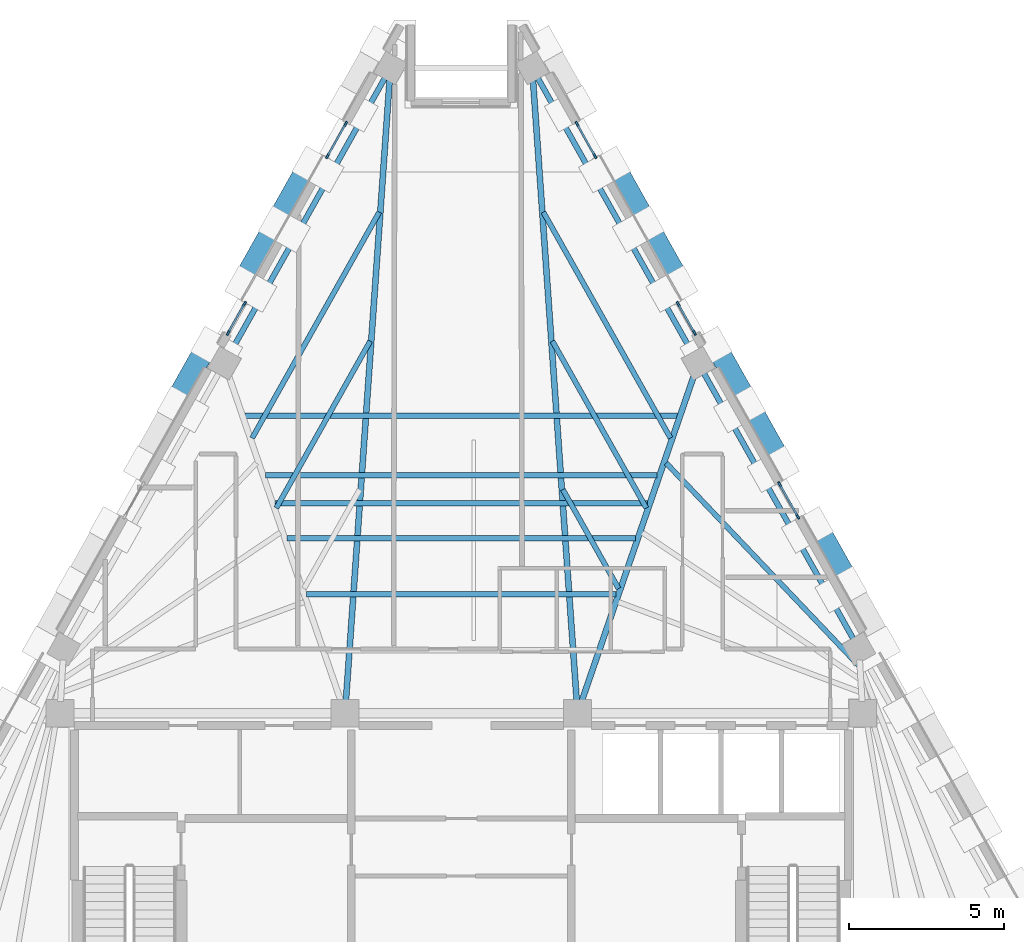
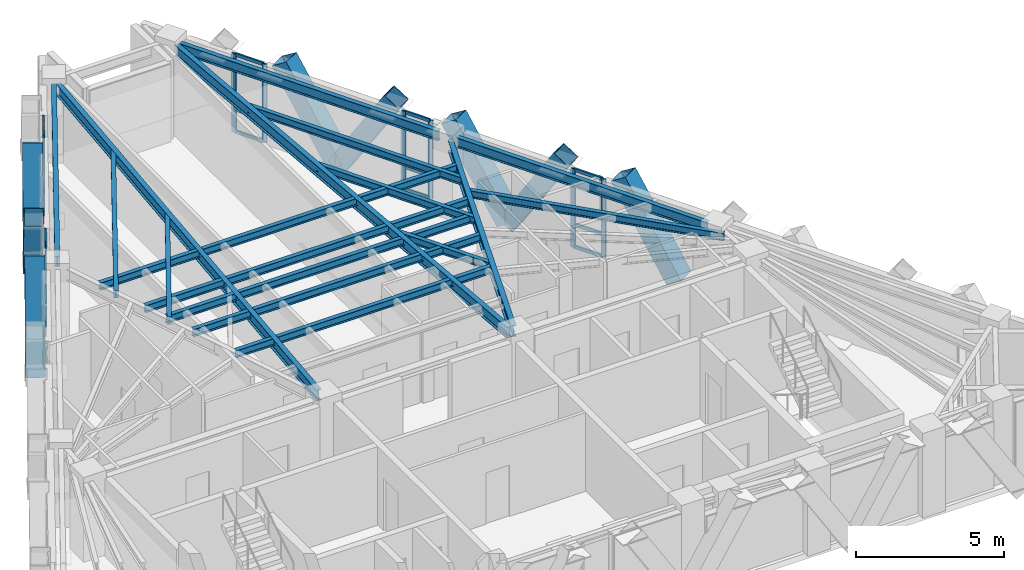
# One storey, part 3 of 9: 33 members, 17 beams, 5 elements without a shape of their own.
"""IFC4 building model written with IfcOpenShell, lengths in metres."""

from ifc_helpers import new_model, si_unit, direction, frame, origin, origin_2d, place, context, subcontext, project, spatial, rectangle, hollow_rectangle, i_section, extrude, material, material_profile, profile_set, type_object, element, aggregate, save


model = new_model("IFC4")

# Units and contexts
model_context = context("Model", 3, precision=1e-05, world=origin(), true_north=direction((0.0, 1.0)))
body_context = subcontext(model_context, "Body", "Model", "MODEL_VIEW")
ifc_project = project(units=[si_unit("LENGTHUNIT", "METRE"), si_unit("AREAUNIT", "SQUARE_METRE"), si_unit("VOLUMEUNIT", "CUBIC_METRE"), si_unit("PLANEANGLEUNIT", "RADIAN"), si_unit("MASSUNIT", "GRAM", prefix="KILO")], contexts=[model_context])

# Site, building, storey
site_placement = place(None, origin())
site = spatial("IfcSite", under=ifc_project, at=site_placement, CompositionType="ELEMENT")
building_placement = place(site_placement, origin())
building = spatial("IfcBuilding", under=site, at=building_placement, Name="Quenlor Broadcast Tower", CompositionType="ELEMENT")
storey_placement = place(building_placement, frame((0.0, 0.0, 260.39990234375)))
storey = spatial("IfcBuildingStorey", under=building, at=storey_placement, Name="L72", CompositionType="ELEMENT", Elevation=260.39990234375)

# Curtain wall, members
ifc_material_1 = material(Name="Architectural Terracotta and Low-E Glazing", Category="masonry")
curtain_wall_type = type_object("IfcCurtainWallType", Name="Unitised Terracotta Curtain Wall System Z5", PredefinedType="NOTDEFINED", material=ifc_material_1)
curtain_wall_1_placement = place(storey_placement, origin())
curtain_wall_1 = element("IfcCurtainWall", 1, at=curtain_wall_1_placement, inside=storey, type_object=curtain_wall_type, Name="L72 Curtain Wall CW5 (L72-NEA-G1)", PredefinedType="NOTDEFINED")
ifc_material_2 = material(Name="Aluminium 6063-T6", Category="aluminium")
ifc_material_profile_1 = material_profile(ifc_material_2, rectangle(XDim=0.06494140625, YDim=0.169921875, at=origin_2d()))
ifc_profile_set_1 = profile_set([ifc_material_profile_1], Name="Aluminium 6063-T6 MULL65x170")
member_type_1 = type_object("IfcMemberType", Name="CW5 Aluminium Mullion MULL_CW5", PredefinedType="MULLION", material=ifc_profile_set_1)
member_1_placement = place(storey_placement, frame((3.72802734375, 14.211669921875, 0.0), z_axis=(0.0, 0.0, 1.0), x_axis=(0.871558583916, 0.49029137745, 0.0)))
member_1 = element("IfcMember", 2, at=member_1_placement, type_object=member_type_1, Name="CW5 mullion 1", PredefinedType="MULLION", context=body_context, shape_type="SweptSolid", body=[
    extrude(rectangle(XDim=0.06494140625, YDim=0.169921875, at=origin_2d()), origin(), (0.0, 0.0, 1.0), 3.25),
])
member_2_placement = place(storey_placement, frame((4.31396484375, 13.169921875, 0.0), z_axis=(0.0, 0.0, 1.0), x_axis=(0.871558583916, 0.49029137745, 0.0)))
member_2 = element("IfcMember", 3, at=member_2_placement, type_object=member_type_1, Name="CW5 mullion 2", PredefinedType="MULLION", context=body_context, shape_type="SweptSolid", body=[
    extrude(rectangle(XDim=0.06494140625, YDim=0.169921875, at=origin_2d()), origin(), (0.0, 0.0, 1.0), 3.25),
])

curtain_wall_2_placement = place(storey_placement, origin())
curtain_wall_2 = element("IfcCurtainWall", 4, at=curtain_wall_2_placement, inside=storey, type_object=curtain_wall_type, Name="L72 Curtain Wall CW5 (L72-NEA-G2)", PredefinedType="NOTDEFINED")
member_3_placement = place(storey_placement, frame((6.99755859375, 8.39892578125, 0.0), z_axis=(0.0, 0.0, 1.0), x_axis=(0.871563693894, 0.490282293669, 0.0)))
member_3 = element("IfcMember", 5, at=member_3_placement, type_object=member_type_1, Name="CW5 mullion 1", PredefinedType="MULLION", context=body_context, shape_type="SweptSolid", body=[
    extrude(rectangle(XDim=0.06494140625, YDim=0.169921875, at=origin_2d()), origin(), (0.0, 0.0, 1.0), 3.25),
])
member_4_placement = place(storey_placement, frame((7.5185546875, 7.472900390625, 0.0), z_axis=(0.0, 0.0, 1.0), x_axis=(0.871563693894, 0.490282293669, 0.0)))
member_4 = element("IfcMember", 6, at=member_4_placement, type_object=member_type_1, Name="CW5 mullion 2", PredefinedType="MULLION", context=body_context, shape_type="SweptSolid", body=[
    extrude(rectangle(XDim=0.06494140625, YDim=0.169921875, at=origin_2d()), origin(), (0.0, 0.0, 1.0), 3.25),
])

curtain_wall_3_placement = place(storey_placement, origin())
curtain_wall_3 = element("IfcCurtainWall", 7, at=curtain_wall_3_placement, inside=storey, type_object=curtain_wall_type, Name="L72 Curtain Wall CW5 (L72-NE-G1)", PredefinedType="NOTDEFINED")
member_5_placement = place(storey_placement, frame((10.267333984375, 2.586181640625, 0.0), z_axis=(0.0, 0.0, 1.0), x_axis=(0.871592489955, 0.490231100048, 0.0)))
member_5 = element("IfcMember", 8, at=member_5_placement, type_object=member_type_1, Name="CW5 mullion 1", PredefinedType="MULLION", context=body_context, shape_type="SweptSolid", body=[
    extrude(rectangle(XDim=0.06494140625, YDim=0.169921875, at=origin_2d()), origin(), (0.0, 0.0, 1.0), 3.25),
])
member_6_placement = place(storey_placement, frame((10.853271484375, 1.54443359375, 0.0), z_axis=(0.0, 0.0, 1.0), x_axis=(0.871592489955, 0.490231100048, 0.0)))
member_6 = element("IfcMember", 9, at=member_6_placement, type_object=member_type_1, Name="CW5 mullion 2", PredefinedType="MULLION", context=body_context, shape_type="SweptSolid", body=[
    extrude(rectangle(XDim=0.06494140625, YDim=0.169921875, at=origin_2d()), origin(), (0.0, 0.0, 1.0), 3.25),
])

curtain_wall_4_placement = place(storey_placement, origin())
curtain_wall_4 = element("IfcCurtainWall", 10, at=curtain_wall_4_placement, inside=storey, type_object=curtain_wall_type, Name="L72 Curtain Wall CW5 (L72-NWC-G1)", PredefinedType="NOTDEFINED")
member_7_placement = place(storey_placement, frame((-7.5185546875, 7.472900390625, 0.0), z_axis=(0.0, 0.0, 1.0), x_axis=(-0.871563693894, 0.490282293669, 0.0)))
member_7 = element("IfcMember", 11, at=member_7_placement, type_object=member_type_1, Name="CW5 mullion 1", PredefinedType="MULLION", context=body_context, shape_type="SweptSolid", body=[
    extrude(rectangle(XDim=0.06494140625, YDim=0.169921875, at=origin_2d()), origin(), (0.0, 0.0, 1.0), 3.25),
])
member_8_placement = place(storey_placement, frame((-6.99755859375, 8.39892578125, 0.0), z_axis=(0.0, 0.0, 1.0), x_axis=(-0.871563693894, 0.490282293669, 0.0)))
member_8 = element("IfcMember", 12, at=member_8_placement, type_object=member_type_1, Name="CW5 mullion 2", PredefinedType="MULLION", context=body_context, shape_type="SweptSolid", body=[
    extrude(rectangle(XDim=0.06494140625, YDim=0.169921875, at=origin_2d()), origin(), (0.0, 0.0, 1.0), 3.25),
])

curtain_wall_5_placement = place(storey_placement, origin())
curtain_wall_5 = element("IfcCurtainWall", 13, at=curtain_wall_5_placement, inside=storey, type_object=curtain_wall_type, Name="L72 Curtain Wall CW5 (L72-NWC-G2)", PredefinedType="NOTDEFINED")
member_9_placement = place(storey_placement, frame((-4.31396484375, 13.169921875, 0.0), z_axis=(0.0, 0.0, 1.0), x_axis=(-0.871558583916, 0.49029137745, 0.0)))
member_9 = element("IfcMember", 14, at=member_9_placement, type_object=member_type_1, Name="CW5 mullion 1", PredefinedType="MULLION", context=body_context, shape_type="SweptSolid", body=[
    extrude(rectangle(XDim=0.06494140625, YDim=0.169921875, at=origin_2d()), origin(), (0.0, 0.0, 1.0), 3.25),
])
member_10_placement = place(storey_placement, frame((-3.72802734375, 14.211669921875, 0.0), z_axis=(0.0, 0.0, 1.0), x_axis=(-0.871558583916, 0.49029137745, 0.0)))
member_10 = element("IfcMember", 15, at=member_10_placement, type_object=member_type_1, Name="CW5 mullion 2", PredefinedType="MULLION", context=body_context, shape_type="SweptSolid", body=[
    extrude(rectangle(XDim=0.06494140625, YDim=0.169921875, at=origin_2d()), origin(), (0.0, 0.0, 1.0), 3.25),
])

# Member
ifc_material_3 = material(Name="Aluminium 6063-T6", Category="aluminium")
ifc_material_profile_2 = material_profile(ifc_material_3, rectangle(XDim=0.06494140625, YDim=0.139892578125, at=origin_2d()))
ifc_profile_set_2 = profile_set([ifc_material_profile_2], Name="Aluminium 6063-T6 TRAN65x140")
member_type_2 = type_object("IfcMemberType", Name="CW5 Aluminium Transom TRAN_CW5", PredefinedType="USERDEFINED", material=ifc_profile_set_2)
member_11_placement = place(storey_placement, frame((3.743896484375, 14.183349609375, 0.03271484375), z_axis=(0.490312513966, -0.871546693327, 0.0), x_axis=(0.871546693327, 0.490312513966, 0.0)))
member_11 = element("IfcMember", 16, at=member_11_placement, type_object=member_type_2, Name="CW5 transom 1.1", ObjectType="TRANSOM", PredefinedType="USERDEFINED", context=body_context, shape_type="SweptSolid", body=[
    extrude(rectangle(XDim=0.06494140625, YDim=0.139892578125, at=origin_2d()), origin(), (0.0, 0.0, 1.0), 1.13037109375),
])

member_12_placement = place(storey_placement, frame((3.743896484375, 14.183349609375, 0.9501953125), z_axis=(0.490312513966, -0.871546693327, 0.0), x_axis=(0.871546693327, 0.490312513966, 0.0)))
member_12 = element("IfcMember", 17, at=member_12_placement, type_object=member_type_2, Name="CW5 transom 1.2", ObjectType="TRANSOM", PredefinedType="USERDEFINED", context=body_context, shape_type="SweptSolid", body=[
    extrude(rectangle(XDim=0.06494140625, YDim=0.139892578125, at=origin_2d()), origin(), (0.0, 0.0, 1.0), 1.13037109375),
])

member_13_placement = place(storey_placement, frame((3.743896484375, 14.183349609375, 3.217529296875), z_axis=(0.490312513966, -0.871546693327, 0.0), x_axis=(0.871546693327, 0.490312513966, 0.0)))
member_13 = element("IfcMember", 18, at=member_13_placement, type_object=member_type_2, Name="CW5 transom 1.3", ObjectType="TRANSOM", PredefinedType="USERDEFINED", context=body_context, shape_type="SweptSolid", body=[
    extrude(rectangle(XDim=0.06494140625, YDim=0.139892578125, at=origin_2d()), origin(), (0.0, 0.0, 1.0), 1.13037109375),
])

aggregate(curtain_wall_1, [member_1, member_2, member_11, member_12, member_13])

member_14_placement = place(storey_placement, frame((7.013427734375, 8.37060546875, 0.03271484375), z_axis=(0.490249619047, -0.871582073602, 0.0), x_axis=(0.871582073602, 0.490249619047, 0.0)))
member_14 = element("IfcMember", 19, at=member_14_placement, type_object=member_type_2, Name="CW5 transom 1.1", ObjectType="TRANSOM", PredefinedType="USERDEFINED", context=body_context, shape_type="SweptSolid", body=[
    extrude(rectangle(XDim=0.06494140625, YDim=0.139892578125, at=origin_2d()), origin(), (0.0, 0.0, 1.0), 0.99755859375),
])

member_15_placement = place(storey_placement, frame((7.013427734375, 8.37060546875, 0.9501953125), z_axis=(0.490249619047, -0.871582073602, 0.0), x_axis=(0.871582073602, 0.490249619047, 0.0)))
member_15 = element("IfcMember", 20, at=member_15_placement, type_object=member_type_2, Name="CW5 transom 1.2", ObjectType="TRANSOM", PredefinedType="USERDEFINED", context=body_context, shape_type="SweptSolid", body=[
    extrude(rectangle(XDim=0.06494140625, YDim=0.139892578125, at=origin_2d()), origin(), (0.0, 0.0, 1.0), 0.99755859375),
])

member_16_placement = place(storey_placement, frame((7.013427734375, 8.37060546875, 3.217529296875), z_axis=(0.490249619047, -0.871582073602, 0.0), x_axis=(0.871582073602, 0.490249619047, 0.0)))
member_16 = element("IfcMember", 21, at=member_16_placement, type_object=member_type_2, Name="CW5 transom 1.3", ObjectType="TRANSOM", PredefinedType="USERDEFINED", context=body_context, shape_type="SweptSolid", body=[
    extrude(rectangle(XDim=0.06494140625, YDim=0.139892578125, at=origin_2d()), origin(), (0.0, 0.0, 1.0), 0.99755859375),
])

aggregate(curtain_wall_2, [member_3, member_4, member_14, member_15, member_16])

member_17_placement = place(storey_placement, frame((10.283203125, 2.557861328125, 0.03271484375), z_axis=(0.490312513966, -0.871546693327, 0.0), x_axis=(0.871546693327, 0.490312513966, 0.0)))
member_17 = element("IfcMember", 22, at=member_17_placement, type_object=member_type_2, Name="CW5 transom 1.1", ObjectType="TRANSOM", PredefinedType="USERDEFINED", context=body_context, shape_type="SweptSolid", body=[
    extrude(rectangle(XDim=0.06494140625, YDim=0.139892578125, at=origin_2d()), origin(), (0.0, 0.0, 1.0), 1.13037109375),
])

member_18_placement = place(storey_placement, frame((10.283203125, 2.557861328125, 0.9501953125), z_axis=(0.490312513966, -0.871546693327, 0.0), x_axis=(0.871546693327, 0.490312513966, 0.0)))
member_18 = element("IfcMember", 23, at=member_18_placement, type_object=member_type_2, Name="CW5 transom 1.2", ObjectType="TRANSOM", PredefinedType="USERDEFINED", context=body_context, shape_type="SweptSolid", body=[
    extrude(rectangle(XDim=0.06494140625, YDim=0.139892578125, at=origin_2d()), origin(), (0.0, 0.0, 1.0), 1.13037109375),
])

member_19_placement = place(storey_placement, frame((10.283203125, 2.557861328125, 3.217529296875), z_axis=(0.490312513966, -0.871546693327, 0.0), x_axis=(0.871546693327, 0.490312513966, 0.0)))
member_19 = element("IfcMember", 24, at=member_19_placement, type_object=member_type_2, Name="CW5 transom 1.3", ObjectType="TRANSOM", PredefinedType="USERDEFINED", context=body_context, shape_type="SweptSolid", body=[
    extrude(rectangle(XDim=0.06494140625, YDim=0.139892578125, at=origin_2d()), origin(), (0.0, 0.0, 1.0), 1.13037109375),
])

aggregate(curtain_wall_3, [member_5, member_6, member_17, member_18, member_19])

member_20_placement = place(storey_placement, frame((-7.50244140625, 7.501220703125, 0.03271484375), z_axis=(0.490249619047, 0.871582073602, 0.0), x_axis=(-0.871582073602, 0.490249619047, 0.0)))
member_20 = element("IfcMember", 25, at=member_20_placement, type_object=member_type_2, Name="CW5 transom 1.1", ObjectType="TRANSOM", PredefinedType="USERDEFINED", context=body_context, shape_type="SweptSolid", body=[
    extrude(rectangle(XDim=0.06494140625, YDim=0.139892578125, at=origin_2d()), origin(), (0.0, 0.0, 1.0), 0.99755859375),
])

member_21_placement = place(storey_placement, frame((-7.50244140625, 7.501220703125, 0.9501953125), z_axis=(0.490249619047, 0.871582073602, 0.0), x_axis=(-0.871582073602, 0.490249619047, 0.0)))
member_21 = element("IfcMember", 26, at=member_21_placement, type_object=member_type_2, Name="CW5 transom 1.2", ObjectType="TRANSOM", PredefinedType="USERDEFINED", context=body_context, shape_type="SweptSolid", body=[
    extrude(rectangle(XDim=0.06494140625, YDim=0.139892578125, at=origin_2d()), origin(), (0.0, 0.0, 1.0), 0.99755859375),
])

member_22_placement = place(storey_placement, frame((-7.50244140625, 7.501220703125, 3.217529296875), z_axis=(0.490249619047, 0.871582073602, 0.0), x_axis=(-0.871582073602, 0.490249619047, 0.0)))
member_22 = element("IfcMember", 27, at=member_22_placement, type_object=member_type_2, Name="CW5 transom 1.3", ObjectType="TRANSOM", PredefinedType="USERDEFINED", context=body_context, shape_type="SweptSolid", body=[
    extrude(rectangle(XDim=0.06494140625, YDim=0.139892578125, at=origin_2d()), origin(), (0.0, 0.0, 1.0), 0.99755859375),
])

aggregate(curtain_wall_4, [member_7, member_8, member_20, member_21, member_22])

member_23_placement = place(storey_placement, frame((-4.298095703125, 13.1982421875, 0.03271484375), z_axis=(0.490312513966, 0.871546693327, 0.0), x_axis=(-0.871546693327, 0.490312513966, 0.0)))
member_23 = element("IfcMember", 28, at=member_23_placement, type_object=member_type_2, Name="CW5 transom 1.1", ObjectType="TRANSOM", PredefinedType="USERDEFINED", context=body_context, shape_type="SweptSolid", body=[
    extrude(rectangle(XDim=0.06494140625, YDim=0.139892578125, at=origin_2d()), origin(), (0.0, 0.0, 1.0), 1.13037109375),
])

member_24_placement = place(storey_placement, frame((-4.298095703125, 13.1982421875, 0.9501953125), z_axis=(0.490312513966, 0.871546693327, 0.0), x_axis=(-0.871546693327, 0.490312513966, 0.0)))
member_24 = element("IfcMember", 29, at=member_24_placement, type_object=member_type_2, Name="CW5 transom 1.2", ObjectType="TRANSOM", PredefinedType="USERDEFINED", context=body_context, shape_type="SweptSolid", body=[
    extrude(rectangle(XDim=0.06494140625, YDim=0.139892578125, at=origin_2d()), origin(), (0.0, 0.0, 1.0), 1.13037109375),
])

member_25_placement = place(storey_placement, frame((-4.298095703125, 13.1982421875, 3.217529296875), z_axis=(0.490312513966, 0.871546693327, 0.0), x_axis=(-0.871546693327, 0.490312513966, 0.0)))
member_25 = element("IfcMember", 30, at=member_25_placement, type_object=member_type_2, Name="CW5 transom 1.3", ObjectType="TRANSOM", PredefinedType="USERDEFINED", context=body_context, shape_type="SweptSolid", body=[
    extrude(rectangle(XDim=0.06494140625, YDim=0.139892578125, at=origin_2d()), origin(), (0.0, 0.0, 1.0), 1.13037109375),
])

aggregate(curtain_wall_5, [member_9, member_10, member_23, member_24, member_25])

# Members
ifc_material_4 = material(Name="Steel S355", Category="steel")
ifc_material_profile_3 = material_profile(ifc_material_4, hollow_rectangle(XDim=0.679931640625, YDim=0.679931640625, WallThickness=0.02001953125, at=origin_2d()))
ifc_profile_set_3 = profile_set([ifc_material_profile_3], Name="Steel S355 RHS680x680x20")
member_type_3 = type_object("IfcMemberType", Name="Perimeter Diagonal Lattice Brace Z5-Crown Steel S355 RHS680x20", PredefinedType="BRACE", material=ifc_profile_set_3)
for number, where, z_axis, x_axis, name in (
    (31, (5.993408203125, 10.98974609375, -0.119873046875), (-0.260563732169, 0.463283497491, 0.847038926161), (-0.871602253711, -0.49021374045, 0.0), "L72 Perimeter Diamond Lattice NE-C1B"),
    (32, (6.006591796875, 10.96630859375, -0.119873046875), (0.260618804175, -0.463276364439, 0.847025884529), (0.8715547569, 0.490298180422, 0.0), "L72 Perimeter Diamond Lattice NE-C2S"),
    (33, (9.26318359375, 5.177001953125, -0.119873046875), (-0.260618804175, 0.463276364439, 0.847025884529), (-0.8715547569, -0.490298180422, 0.0), "L72 Perimeter Diamond Lattice NE-C2B"),
    (34, (9.2763671875, 5.153564453125, -0.119873046875), (0.260563732169, -0.463283497491, 0.847038926161), (0.871602253711, 0.49021374045, 0.0), "L72 Perimeter Diamond Lattice NE-C3S"),
    (35, (12.532958984375, -0.635986328125, -0.119873046875), (-0.260618804175, 0.463276364439, 0.847025884529), (-0.8715547569, -0.490298180422, 0.0), "L72 Perimeter Diamond Lattice NE-C3B"),
    (36, (-9.26318359375, 5.177001953125, -0.119873046875), (0.260618804175, 0.463276364439, 0.847025884529), (-0.8715547569, 0.490298180422, 0.0), "L72 Perimeter Diamond Lattice NW-C4S"),
    (37, (-6.006591796875, 10.96630859375, -0.119873046875), (-0.260618804175, -0.463276364439, 0.847025884529), (0.8715547569, -0.490298180422, 0.0), "L72 Perimeter Diamond Lattice NW-C4B"),
    (38, (-5.993408203125, 10.98974609375, -0.119873046875), (0.260563732169, 0.463283497491, 0.847038926161), (-0.871602253711, 0.49021374045, 0.0), "L72 Perimeter Diamond Lattice NW-C5S"),
):
    element("IfcMember", number, at=place(storey_placement, frame(where, z_axis=z_axis, x_axis=x_axis)), inside=storey, type_object=member_type_3, Name=name, PredefinedType="BRACE", context=body_context, shape_type="SweptSolid", body=[
        extrude(hollow_rectangle(XDim=0.679931640625, YDim=0.679931640625, WallThickness=0.02001953125, at=origin_2d()), origin(), (0.0, 0.0, 1.0), 4.132080078125),
    ])

# Beams
ifc_material_5 = material(Name="Steel S355", Category="steel")
ifc_material_profile_4 = material_profile(ifc_material_5, i_section(OverallWidth=0.177978515625, OverallDepth=0.406494140625, WebThickness=0.0078125, FlangeThickness=0.0126953125, FilletRadius=0.011474609375, at=origin_2d()))
ifc_profile_set_4 = profile_set([ifc_material_profile_4], Name="Steel S355 410UB59.7")
beam_type_1 = type_object("IfcBeamType", Name="Perimeter Spandrel Beam Z5 Steel S355 410UB59.7", PredefinedType="SPANDREL", material=ifc_profile_set_4)
beam_1_placement = place(storey_placement, frame((12.64892578125, -2.412841796875, 3.046875), z_axis=(-0.49024947634, 0.871582153872, 0.0), x_axis=(-0.871582153872, -0.49024947634, 0.0)))
element("IfcBeam", 39, at=beam_1_placement, inside=storey, type_object=beam_type_1, Name="L72 Spandrel Beam NE2-NE3", PredefinedType="SPANDREL", context=body_context, shape_type="SweptSolid", body=[
    extrude(i_section(OverallWidth=0.177978515625, OverallDepth=0.406494140625, WebThickness=0.0078125, FlangeThickness=0.0126953125, FilletRadius=0.011474609375, at=origin_2d()), origin(), (0.0, 0.0, 1.0), 9.853759765625),
])
for number, where, z_axis, x_axis, name in (
    (40, (7.465087890625, 6.802978515625, 3.046875), (-0.490264646634, 0.871573620677, 0.0), (-0.871573620677, -0.490264646634, 0.0), "L72 Spandrel Beam NE3-NE4"),
    (41, (-2.461181640625, 15.69873046875, 3.046875), (-0.490264646634, -0.871573620677, 0.0), (0.871573620677, -0.490264646634, 0.0), "L72 Spandrel Beam NW1-NW2"),
):
    element("IfcBeam", number, at=place(storey_placement, frame(where, z_axis=z_axis, x_axis=x_axis)), inside=storey, type_object=beam_type_1, Name=name, PredefinedType="SPANDREL", context=body_context, shape_type="SweptSolid", body=[
        extrude(i_section(OverallWidth=0.177978515625, OverallDepth=0.406494140625, WebThickness=0.0078125, FlangeThickness=0.0126953125, FilletRadius=0.011474609375, at=origin_2d()), origin(), (0.0, 0.0, 1.0), 10.20654296875),
    ])
ifc_material_6 = material(Name="Steel S355", Category="steel")
ifc_material_profile_5 = material_profile(ifc_material_6, i_section(OverallWidth=0.166015625, OverallDepth=0.30712890625, WebThickness=0.006591796875, FlangeThickness=0.01171875, FilletRadius=0.011474609375, at=origin_2d()))
ifc_profile_set_5 = profile_set([ifc_material_profile_5], Name="Steel S355 310UB46.2")
beam_type_2 = type_object("IfcBeamType", Name="Tower Composite Joist Z4-Z5 Steel S355 310UB46.2", PredefinedType="JOIST", material=ifc_profile_set_5)
beam_2_placement = place(storey_placement, frame((-6.0048828125, 1.9736328125, 3.096435546875), z_axis=(1.0, 0.0, 0.0), x_axis=(0.0, 1.0, 0.0)))
element("IfcBeam", 42, at=beam_2_placement, inside=storey, type_object=beam_type_2, Name="L72 Secondary Composite Joist 2", PredefinedType="JOIST", context=body_context, shape_type="SweptSolid", body=[
    extrude(i_section(OverallWidth=0.166015625, OverallDepth=0.30712890625, WebThickness=0.006591796875, FlangeThickness=0.01171875, FilletRadius=0.011474609375, at=origin_2d()), origin(), (0.0, 0.0, 1.0), 12.009765625),
])
beam_3_placement = place(storey_placement, frame((-4.9931640625, -0.961669921875, 3.096435546875), z_axis=(1.0, 0.0, 0.0), x_axis=(0.0, 1.0, 0.0)))
element("IfcBeam", 43, at=beam_3_placement, inside=storey, type_object=beam_type_2, Name="L72 Secondary Composite Joist 3", PredefinedType="JOIST", context=body_context, shape_type="SweptSolid", body=[
    extrude(i_section(OverallWidth=0.166015625, OverallDepth=0.30712890625, WebThickness=0.006591796875, FlangeThickness=0.01171875, FilletRadius=0.011474609375, at=origin_2d()), origin(), (0.0, 0.0, 1.0), 9.986328125),
])
beam_4_placement = place(storey_placement, frame((-5.61572265625, 0.8447265625, 3.096435546875), z_axis=(1.0, 0.0, 0.0), x_axis=(0.0, 1.0, 0.0)))
element("IfcBeam", 44, at=beam_4_placement, inside=storey, type_object=beam_type_2, Name="L72 Secondary Composite Joist 4", PredefinedType="JOIST", context=body_context, shape_type="SweptSolid", body=[
    extrude(i_section(OverallWidth=0.166015625, OverallDepth=0.30712890625, WebThickness=0.006591796875, FlangeThickness=0.01171875, FilletRadius=0.011474609375, at=origin_2d()), origin(), (0.0, 0.0, 1.0), 11.2314453125),
])
beam_5_placement = place(storey_placement, frame((-6.316162109375, 2.876708984375, 3.096435546875), z_axis=(1.0, 0.0, 0.0), x_axis=(0.0, 1.0, 0.0)))
element("IfcBeam", 45, at=beam_5_placement, inside=storey, type_object=beam_type_2, Name="L72 Secondary Composite Joist 5", PredefinedType="JOIST", context=body_context, shape_type="SweptSolid", body=[
    extrude(i_section(OverallWidth=0.166015625, OverallDepth=0.30712890625, WebThickness=0.006591796875, FlangeThickness=0.01171875, FilletRadius=0.011474609375, at=origin_2d()), origin(), (0.0, 0.0, 1.0), 12.63232421875),
])
beam_6_placement = place(storey_placement, frame((-6.977783203125, 4.7958984375, 3.096435546875), z_axis=(1.0, 0.0, 0.0), x_axis=(0.0, 1.0, 0.0)))
element("IfcBeam", 46, at=beam_6_placement, inside=storey, type_object=beam_type_2, Name="L72 Secondary Composite Joist 6", PredefinedType="JOIST", context=body_context, shape_type="SweptSolid", body=[
    extrude(i_section(OverallWidth=0.166015625, OverallDepth=0.30712890625, WebThickness=0.006591796875, FlangeThickness=0.01171875, FilletRadius=0.011474609375, at=origin_2d()), origin(), (0.0, 0.0, 1.0), 13.95556640625),
])
beam_7_placement = place(storey_placement, frame((12.80517578125, -3.249267578125, 3.096435546875), z_axis=(-0.689023306429, 0.724739182877, 0.0), x_axis=(-0.724739182877, -0.689023306429, 0.0)))
element("IfcBeam", 47, at=beam_7_placement, inside=storey, type_object=beam_type_2, Name="L72 Secondary Composite Joist 12", PredefinedType="JOIST", context=body_context, shape_type="SweptSolid", body=[
    extrude(i_section(OverallWidth=0.166015625, OverallDepth=0.30712890625, WebThickness=0.006591796875, FlangeThickness=0.01171875, FilletRadius=0.011474609375, at=origin_2d()), origin(), (0.0, 0.0, 1.0), 8.99560546875),
])
beam_8_placement = place(storey_placement, frame((-2.939208984375, 7.201416015625, 3.096435546875), z_axis=(-0.490266868828, -0.871572370678, 0.0), x_axis=(0.871572370678, -0.490266868828, 0.0)))
element("IfcBeam", 48, at=beam_8_placement, inside=storey, type_object=beam_type_2, Name="L72 Secondary Composite Joist 26", PredefinedType="JOIST", context=body_context, shape_type="SweptSolid", body=[
    extrude(i_section(OverallWidth=0.166015625, OverallDepth=0.30712890625, WebThickness=0.006591796875, FlangeThickness=0.01171875, FilletRadius=0.011474609375, at=origin_2d()), origin(), (0.0, 0.0, 1.0), 6.177490234375),
])
beam_9_placement = place(storey_placement, frame((-2.646240234375, 11.364013671875, 3.096435546875), z_axis=(-0.490264011812, -0.871573977768, 0.0), x_axis=(0.871573977768, -0.490264011812, 0.0)))
element("IfcBeam", 49, at=beam_9_placement, inside=storey, type_object=beam_type_2, Name="L72 Secondary Composite Joist 27", PredefinedType="JOIST", context=body_context, shape_type="SweptSolid", body=[
    extrude(i_section(OverallWidth=0.166015625, OverallDepth=0.30712890625, WebThickness=0.006591796875, FlangeThickness=0.01171875, FilletRadius=0.011474609375, at=origin_2d()), origin(), (0.0, 0.0, 1.0), 8.362548828125),
])
beam_10_placement = place(storey_placement, frame((3.2763671875, 2.41455078125, 3.096435546875), z_axis=(0.490258076222, -0.871577316535, 0.0), x_axis=(0.871577316535, 0.490258076222, 0.0)))
element("IfcBeam", 50, at=beam_10_placement, inside=storey, type_object=beam_type_2, Name="L72 Secondary Composite Joist 28", PredefinedType="JOIST", context=body_context, shape_type="SweptSolid", body=[
    extrude(i_section(OverallWidth=0.166015625, OverallDepth=0.30712890625, WebThickness=0.006591796875, FlangeThickness=0.01171875, FilletRadius=0.011474609375, at=origin_2d()), origin(), (0.0, 0.0, 1.0), 3.6640625),
])
beam_11_placement = place(storey_placement, frame((2.939208984375, 7.201416015625, 3.096435546875), z_axis=(0.490266868828, -0.871572370678, 0.0), x_axis=(0.871572370678, 0.490266868828, 0.0)))
element("IfcBeam", 51, at=beam_11_placement, inside=storey, type_object=beam_type_2, Name="L72 Secondary Composite Joist 29", PredefinedType="JOIST", context=body_context, shape_type="SweptSolid", body=[
    extrude(i_section(OverallWidth=0.166015625, OverallDepth=0.30712890625, WebThickness=0.006591796875, FlangeThickness=0.01171875, FilletRadius=0.011474609375, at=origin_2d()), origin(), (0.0, 0.0, 1.0), 6.177490234375),
])
beam_12_placement = place(storey_placement, frame((2.646240234375, 11.364013671875, 3.096435546875), z_axis=(0.490264011812, -0.871573977768, 0.0), x_axis=(0.871573977768, 0.490264011812, 0.0)))
element("IfcBeam", 52, at=beam_12_placement, inside=storey, type_object=beam_type_2, Name="L72 Secondary Composite Joist 30", PredefinedType="JOIST", context=body_context, shape_type="SweptSolid", body=[
    extrude(i_section(OverallWidth=0.166015625, OverallDepth=0.30712890625, WebThickness=0.006591796875, FlangeThickness=0.01171875, FilletRadius=0.011474609375, at=origin_2d()), origin(), (0.0, 0.0, 1.0), 8.362548828125),
])
ifc_material_7 = material(Name="Steel S355", Category="steel")
ifc_material_profile_6 = material_profile(ifc_material_7, i_section(OverallWidth=0.19091796875, OverallDepth=0.46044921875, WebThickness=0.010009765625, FlangeThickness=0.01611328125, FilletRadius=0.011474609375, at=origin_2d()))
ifc_profile_set_6 = profile_set([ifc_material_profile_6], Name="Steel S355 460UB82.1")
beam_type_3 = type_object("IfcBeamType", Name="Tower Primary Floor Beam Z5 Steel S355 460UB82.1", PredefinedType="BEAM", material=ifc_profile_set_6)
beam_13_placement = place(storey_placement, frame((7.524169921875, 6.14892578125, 3.02001953125), z_axis=(-0.325895297662, -0.945405867848, 0.0), x_axis=(0.945405867848, -0.325895297662, 0.0)))
element("IfcBeam", 53, at=beam_13_placement, inside=storey, type_object=beam_type_3, Name="L72 Primary Radial Beam NE3", PredefinedType="BEAM", context=body_context, shape_type="SweptSolid", body=[
    extrude(i_section(OverallWidth=0.19091796875, OverallDepth=0.46044921875, WebThickness=0.010009765625, FlangeThickness=0.01611328125, FilletRadius=0.011474609375, at=origin_2d()), origin(), (0.0, 0.0, 1.0), 11.201171875),
])
for number, where, z_axis, x_axis, name in (
    (54, (2.31005859375, 15.6533203125, 3.02001953125), (0.070231384782, -0.997530727643, 0.0), (0.997530727643, 0.070231384782, 0.0), "L72 Primary Radial Beam NE4"),
    (55, (-2.31005859375, 15.6533203125, 3.02001953125), (-0.070231384782, -0.997530727643, 0.0), (0.997530727643, -0.070231384782, 0.0), "L72 Primary Radial Beam NW1"),
):
    element("IfcBeam", number, at=place(storey_placement, frame(where, z_axis=z_axis, x_axis=x_axis)), inside=storey, type_object=beam_type_3, Name=name, PredefinedType="BEAM", context=body_context, shape_type="SweptSolid", body=[
        extrude(i_section(OverallWidth=0.19091796875, OverallDepth=0.46044921875, WebThickness=0.010009765625, FlangeThickness=0.01611328125, FilletRadius=0.011474609375, at=origin_2d()), origin(), (0.0, 0.0, 1.0), 20.1240234375),
    ])

save(model, "model.ifc")
